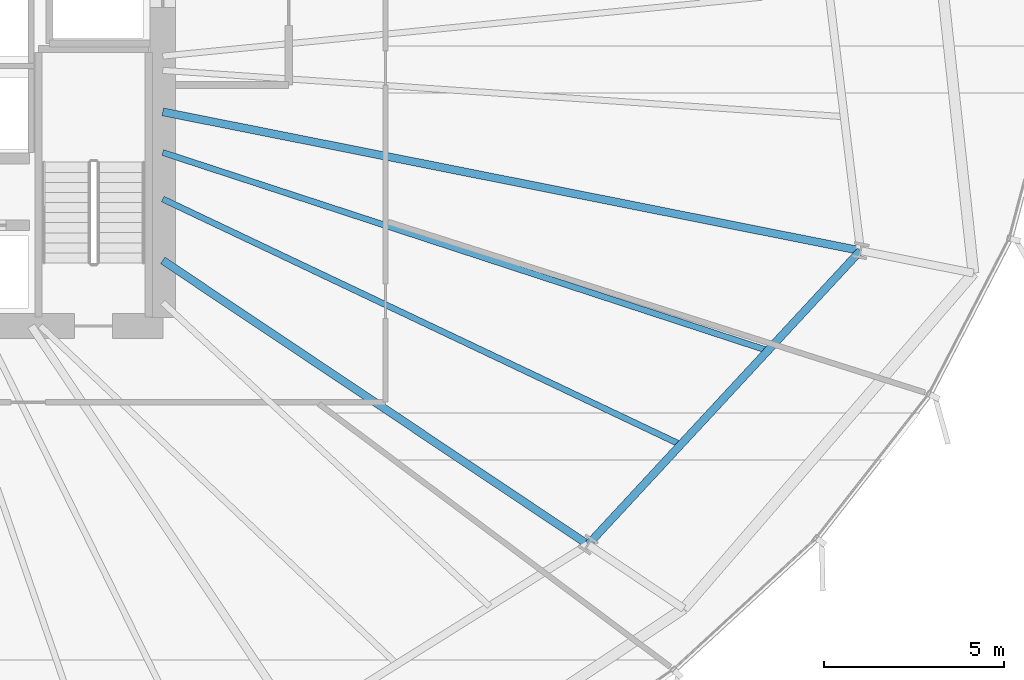
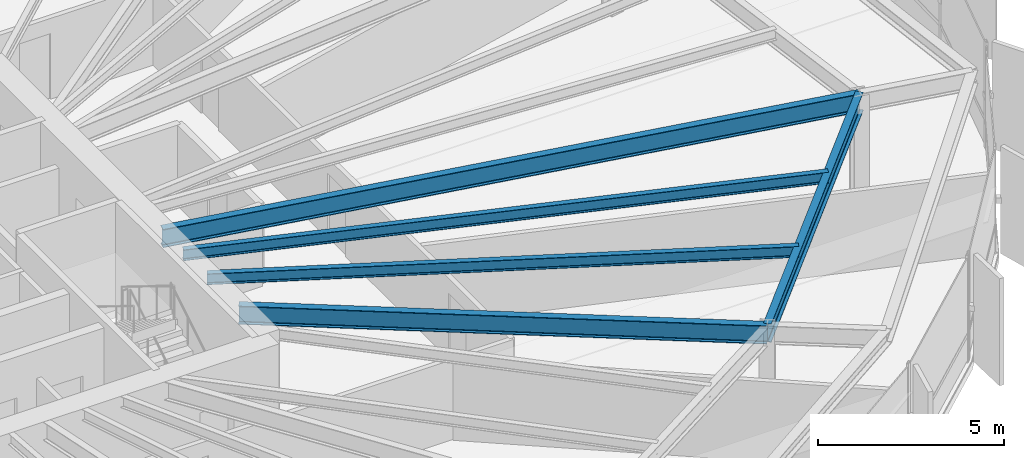
# One storey, part 15 of 37: 5 beams.
"""IFC4 building model written with IfcOpenShell, lengths in metres."""

from ifc_helpers import new_model, si_unit, direction, frame, origin, origin_2d, place, context, subcontext, project, spatial, i_section, extrude, source, transform, mapped, material, material_profile, profile_set, type_object, element, save


model = new_model("IFC4")

# Units and contexts
model_context = context("Model", 3, precision=1e-05, world=origin(), true_north=direction((0.0, 1.0)))
body_context = subcontext(model_context, "Body", "Model", "MODEL_VIEW")
ifc_project = project(units=[si_unit("LENGTHUNIT", "METRE"), si_unit("AREAUNIT", "SQUARE_METRE"), si_unit("VOLUMEUNIT", "CUBIC_METRE"), si_unit("PLANEANGLEUNIT", "RADIAN"), si_unit("MASSUNIT", "GRAM", prefix="KILO"), si_unit("THERMODYNAMICTEMPERATUREUNIT", "KELVIN")], contexts=[model_context])

# Site, building, storey
site_placement = place(None, origin())
site = spatial("IfcSite", under=ifc_project, at=site_placement, CompositionType="ELEMENT")
building_placement = place(site_placement, origin())
building = spatial("IfcBuilding", under=site, at=building_placement, Name="Kethvar Cultural Tower", CompositionType="ELEMENT")
storey_placement = place(building_placement, frame((0.0, 0.0, 56.199951171875)))
storey = spatial("IfcBuildingStorey", under=building, at=storey_placement, Name="L13", CompositionType="ELEMENT", Elevation=56.199951171875)

# Beams
ifc_material = material(Name="Steel S355J2", Category="steel")
ifc_material_profile_1 = material_profile(ifc_material, i_section(OverallWidth=0.219970703125, OverallDepth=0.60009765625, WebThickness=0.011962890625, FlangeThickness=0.01904296875, FilletRadius=0.02392578125, at=origin_2d()), Name="Steel S355J2 — IPE600")
ifc_profile_set_1 = profile_set([ifc_material_profile_1], Name="Steel S355J2 — IPE600")
beam_type_1 = type_object("IfcBeamType", Name="BM-IPE600", PredefinedType="BEAM", material=ifc_profile_set_1)
shared_shape_1 = source(origin(), body_context, "Body", "SweptSolid", [
    extrude(i_section(OverallWidth=0.219970703125, OverallDepth=0.60009765625, WebThickness=0.011962890625, FlangeThickness=0.01904296875, FilletRadius=0.02392578125, at=origin_2d()), origin(), (0.0, 0.0, 1.0), 14.2138671875),
])
beam_1_placement = place(storey_placement, frame((55.60009765625, 21.920166015625, 3.248046875), z_axis=(0.831463197362, -0.555579833537, 0.0), x_axis=(0.555579833537, 0.831463197362, 0.0)))
element("IfcBeam", 1, at=beam_1_placement, inside=storey, type_object=beam_type_1, Name="L13 Primary Radial Beam RB-15", PredefinedType="BEAM", context=body_context, shape_type="MappedRepresentation", body=[
    mapped(shared_shape_1, transform((0.0, 0.0, 0.0), scale=1.0)),
])
shared_shape_2 = source(origin(), body_context, "Body", "SweptSolid", [
    extrude(i_section(OverallWidth=0.219970703125, OverallDepth=0.60009765625, WebThickness=0.011962890625, FlangeThickness=0.01904296875, FilletRadius=0.02392578125, at=origin_2d()), origin(), (0.0, 0.0, 1.0), 19.77099609375),
])
beam_2_placement = place(storey_placement, frame((55.60009765625, 26.049560546875, 3.248046875), z_axis=(0.980784840197, -0.195092535068, 0.0), x_axis=(0.195092535068, 0.980784840197, 0.0)))
element("IfcBeam", 2, at=beam_2_placement, inside=storey, type_object=beam_type_1, Name="L13 Primary Radial Beam RB-16", PredefinedType="BEAM", context=body_context, shape_type="MappedRepresentation", body=[
    mapped(shared_shape_2, transform((0.0, 0.0, 0.0), scale=1.0)),
])
shared_shape_3 = source(origin(), body_context, "Body", "SweptSolid", [
    extrude(i_section(OverallWidth=0.219970703125, OverallDepth=0.60009765625, WebThickness=0.011962890625, FlangeThickness=0.01904296875, FilletRadius=0.02392578125, at=origin_2d()), origin(), (0.0, 0.0, 1.0), 11.13916015625),
])
beam_3_placement = place(storey_placement, frame((67.41845703125, 14.023193359375, 3.248046875), z_axis=(0.679827924457, 0.73337166098, 0.0), x_axis=(-0.73337166098, 0.679827924457, 0.0)))
element("IfcBeam", 3, at=beam_3_placement, inside=storey, type_object=beam_type_1, Name="L13 Column Ring Tie Beam CR-15", PredefinedType="BEAM", context=body_context, shape_type="MappedRepresentation", body=[
    mapped(shared_shape_3, transform((0.0, 0.0, 0.0), scale=1.0)),
])
ifc_material_profile_2 = material_profile(ifc_material, i_section(OverallWidth=0.169921875, OverallDepth=0.360107421875, WebThickness=0.008056640625, FlangeThickness=0.0126953125, FilletRadius=0.01806640625, at=origin_2d()), Name="Steel S355J2 — IPE360")
ifc_profile_set_2 = profile_set([ifc_material_profile_2], Name="Steel S355J2 — IPE360")
beam_type_2 = type_object("IfcBeamType", Name="BM-J360", PredefinedType="JOIST", material=ifc_profile_set_2)
shared_shape_4 = source(origin(), body_context, "Body", "SweptSolid", [
    extrude(i_section(OverallWidth=0.169921875, OverallDepth=0.360107421875, WebThickness=0.008056640625, FlangeThickness=0.0126953125, FilletRadius=0.01806640625, at=origin_2d()), origin(), (0.0, 0.0, 1.0), 15.9296875),
])
beam_4_placement = place(storey_placement, frame((55.60009765625, 23.626708984375, 3.3681640625), z_axis=(0.903539576646, -0.428504648089, 0.0), x_axis=(0.428504648089, 0.903539576646, 0.0)))
element("IfcBeam", 4, at=beam_4_placement, inside=storey, type_object=beam_type_2, Name="L13 Composite Floor Joist J-15A", PredefinedType="JOIST", context=body_context, shape_type="MappedRepresentation", body=[
    mapped(shared_shape_4, transform((0.0, 0.0, 0.0), scale=1.0)),
])
shared_shape_5 = source(origin(), body_context, "Body", "SweptSolid", [
    extrude(i_section(OverallWidth=0.169921875, OverallDepth=0.360107421875, WebThickness=0.008056640625, FlangeThickness=0.0126953125, FilletRadius=0.01806640625, at=origin_2d()), origin(), (0.0, 0.0, 1.0), 17.6943359375),
])
beam_5_placement = place(storey_placement, frame((55.60009765625, 24.91943359375, 3.3681640625), z_axis=(0.950378958587, -0.311094575773, 0.0), x_axis=(0.311094575773, 0.950378958587, 0.0)))
element("IfcBeam", 5, at=beam_5_placement, inside=storey, type_object=beam_type_2, Name="L13 Composite Floor Joist J-15B", PredefinedType="JOIST", context=body_context, shape_type="MappedRepresentation", body=[
    mapped(shared_shape_5, transform((0.0, 0.0, 0.0), scale=1.0)),
])

save(model, "model.ifc")
